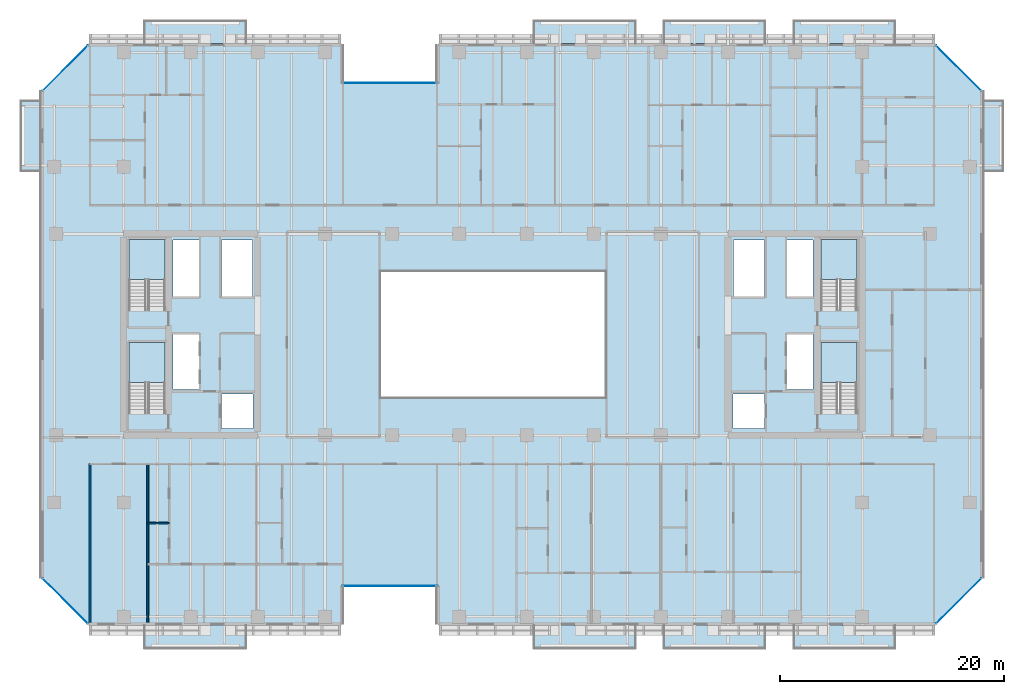
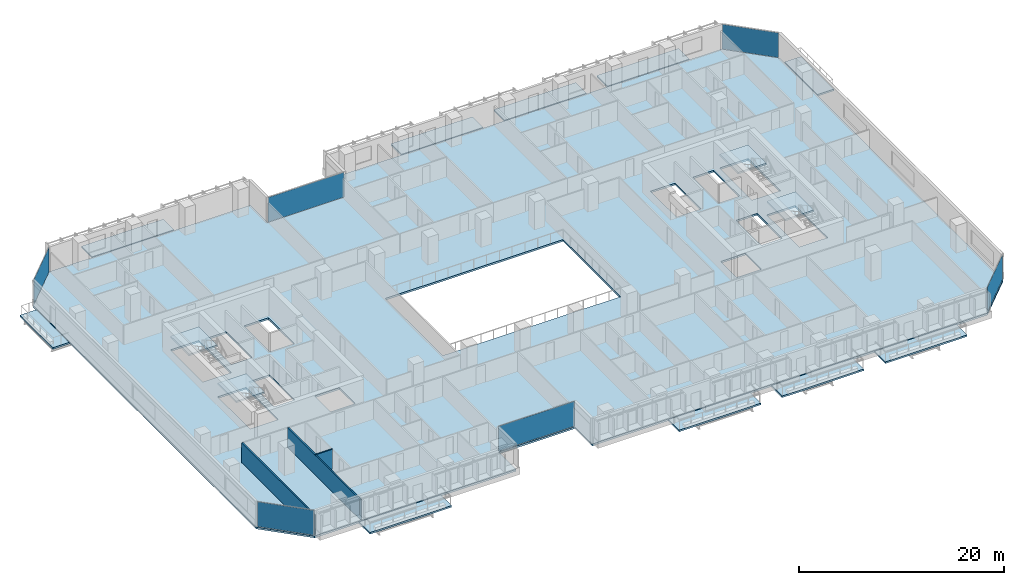
# One storey, part 17 of 33: 15 slabs, 6 plates, 3 walls, 10 elements without a shape of their own.
"""IFC4 building model written with IfcOpenShell, lengths in metres."""

from ifc_helpers import new_model, si_unit, direction, frame, frame_2d, origin, origin_2d, place, context, subcontext, project, spatial, polyline, rectangle, outline, extrude, material, layer, layer_set, type_object, element, aggregate, save


model = new_model("IFC4")

# Units and contexts
model_context = context("Model", 3, precision=1e-05, world=origin(), true_north=direction((0.0, 1.0)))
body_context = subcontext(model_context, "Body", "Model", "MODEL_VIEW")
ifc_project = project(units=[si_unit("LENGTHUNIT", "METRE"), si_unit("AREAUNIT", "SQUARE_METRE"), si_unit("VOLUMEUNIT", "CUBIC_METRE"), si_unit("PLANEANGLEUNIT", "RADIAN"), si_unit("MASSUNIT", "GRAM", prefix="KILO")], contexts=[model_context])

# Site, building, storey
site_placement = place(None, origin())
site = spatial("IfcSite", under=ifc_project, at=site_placement, CompositionType="ELEMENT")
building_placement = place(site_placement, origin())
building = spatial("IfcBuilding", under=site, at=building_placement, Name="Tanjung Sevakor Pilgrim Tower", CompositionType="ELEMENT")
storey_placement = place(building_placement, frame((0.0, 0.0, 52.139892578125)))
storey = spatial("IfcBuildingStorey", under=building, at=storey_placement, Name="L14", CompositionType="ELEMENT", Elevation=52.139892578125)

# Slabs
ifc_material_1 = material(Name="Concrete C40/50", Category="concrete")
ifc_layer_1 = layer(ifc_material_1, 0.199951171875)
ifc_layer_set_1 = layer_set([ifc_layer_1], Name="SL-BAL-200")
slab_type_1 = type_object("IfcSlabType", Name="SL-BAL-200", PredefinedType="FLOOR", material=ifc_layer_set_1)
slab_1_placement = place(storey_placement, frame((0.0, 0.0, -0.199951171875)))
element("IfcSlab", 1, at=slab_1_placement, inside=storey, type_object=slab_type_1, Name="L14 Planted Loggia Balcony MAIN-S1", PredefinedType="FLOOR", context=body_context, shape_type="SweptSolid", body=[
    extrude(outline(polyline([(25.800048828125, 5.5), (35.0, 5.5), (35.0, 7.60009765625), (25.800048828125, 7.60009765625), (25.800048828125, 5.5)])), origin(), (0.0, 0.0, 1.0), 0.199951171875),
])
slab_2_placement = place(storey_placement, frame((0.0, 0.0, -0.199951171875)))
element("IfcSlab", 2, at=slab_2_placement, inside=storey, type_object=slab_type_1, Name="L14 Planted Loggia Balcony MAIN-N1", PredefinedType="FLOOR", context=body_context, shape_type="SweptSolid", body=[
    extrude(outline(polyline([(25.800048828125, 59.60009765625), (35.0, 59.60009765625), (35.0, 61.699951171875), (25.800048828125, 61.699951171875), (25.800048828125, 59.60009765625)])), origin(), (0.0, 0.0, 1.0), 0.199951171875),
])
slab_3_placement = place(storey_placement, frame((0.0, 0.0, -0.199951171875)))
element("IfcSlab", 3, at=slab_3_placement, inside=storey, type_object=slab_type_1, Name="L14 Planted Loggia Balcony MAIN-S2", PredefinedType="FLOOR", context=body_context, shape_type="SweptSolid", body=[
    extrude(outline(polyline([(60.60009765625, 5.5), (69.800048828125, 5.5), (69.800048828125, 7.60009765625), (60.60009765625, 7.60009765625), (60.60009765625, 5.5)])), origin(), (0.0, 0.0, 1.0), 0.199951171875),
])
slab_4_placement = place(storey_placement, frame((0.0, 0.0, -0.199951171875)))
element("IfcSlab", 4, at=slab_4_placement, inside=storey, type_object=slab_type_1, Name="L14 Planted Loggia Balcony MAIN-N2", PredefinedType="FLOOR", context=body_context, shape_type="SweptSolid", body=[
    extrude(outline(polyline([(60.60009765625, 59.60009765625), (69.800048828125, 59.60009765625), (69.800048828125, 61.699951171875), (60.60009765625, 61.699951171875), (60.60009765625, 59.60009765625)])), origin(), (0.0, 0.0, 1.0), 0.199951171875),
])
slab_5_placement = place(storey_placement, frame((0.0, 0.0, -0.199951171875)))
element("IfcSlab", 5, at=slab_5_placement, inside=storey, type_object=slab_type_1, Name="L14 Planted Loggia Balcony MAIN-S3", PredefinedType="FLOOR", context=body_context, shape_type="SweptSolid", body=[
    extrude(outline(polyline([(72.199951171875, 5.5), (81.39990234375, 5.5), (81.39990234375, 7.60009765625), (72.199951171875, 7.60009765625), (72.199951171875, 5.5)])), origin(), (0.0, 0.0, 1.0), 0.199951171875),
])
slab_6_placement = place(storey_placement, frame((0.0, 0.0, -0.199951171875)))
element("IfcSlab", 6, at=slab_6_placement, inside=storey, type_object=slab_type_1, Name="L14 Planted Loggia Balcony MAIN-N3", PredefinedType="FLOOR", context=body_context, shape_type="SweptSolid", body=[
    extrude(outline(polyline([(72.199951171875, 59.60009765625), (81.39990234375, 59.60009765625), (81.39990234375, 61.699951171875), (72.199951171875, 61.699951171875), (72.199951171875, 59.60009765625)])), origin(), (0.0, 0.0, 1.0), 0.199951171875),
])
slab_7_placement = place(storey_placement, frame((0.0, 0.0, -0.199951171875)))
element("IfcSlab", 7, at=slab_7_placement, inside=storey, type_object=slab_type_1, Name="L14 Planted Loggia Balcony MAIN-S4", PredefinedType="FLOOR", context=body_context, shape_type="SweptSolid", body=[
    extrude(outline(polyline([(83.800048828125, 5.5), (93.0, 5.5), (93.0, 7.60009765625), (83.800048828125, 7.60009765625), (83.800048828125, 5.5)])), origin(), (0.0, 0.0, 1.0), 0.199951171875),
])
slab_8_placement = place(storey_placement, frame((0.0, 0.0, -0.199951171875)))
element("IfcSlab", 8, at=slab_8_placement, inside=storey, type_object=slab_type_1, Name="L14 Planted Loggia Balcony MAIN-N4", PredefinedType="FLOOR", context=body_context, shape_type="SweptSolid", body=[
    extrude(outline(polyline([(83.800048828125, 59.60009765625), (93.0, 59.60009765625), (93.0, 61.699951171875), (83.800048828125, 61.699951171875), (83.800048828125, 59.60009765625)])), origin(), (0.0, 0.0, 1.0), 0.199951171875),
])
slab_9_placement = place(storey_placement, frame((0.0, 0.0, -0.199951171875)))
element("IfcSlab", 9, at=slab_9_placement, inside=storey, type_object=slab_type_1, Name="L14 Planted Loggia Balcony MAIN-W1", PredefinedType="FLOOR", context=body_context, shape_type="SweptSolid", body=[
    extrude(outline(polyline([(14.75, 48.14990234375), (16.60009765625, 48.14990234375), (16.60009765625, 54.550048828125), (14.75, 54.550048828125), (14.75, 48.14990234375)])), origin(), (0.0, 0.0, 1.0), 0.199951171875),
])
slab_10_placement = place(storey_placement, frame((0.0, 0.0, -0.199951171875)))
element("IfcSlab", 10, at=slab_10_placement, inside=storey, type_object=slab_type_1, Name="L14 Planted Loggia Balcony MAIN-E1", PredefinedType="FLOOR", context=body_context, shape_type="SweptSolid", body=[
    extrude(outline(polyline([(100.800048828125, 48.14990234375), (102.64990234375, 48.14990234375), (102.64990234375, 54.550048828125), (100.800048828125, 54.550048828125), (100.800048828125, 48.14990234375)])), origin(), (0.0, 0.0, 1.0), 0.199951171875),
])

# Stair, slab
ifc_material_2 = material(Name="Concrete C40/50", Category="concrete")
stair_type = type_object("IfcStairType", Name="STAIR-ST-CR150", PredefinedType="HALF_TURN_STAIR", material=ifc_material_2)
stair_1_placement = place(storey_placement, origin())
stair_1 = element("IfcStair", 11, at=stair_1_placement, inside=storey, type_object=stair_type, Name="L14 West Core Exit Stair 1", PredefinedType="HALF_TURN_STAIR")
ifc_material_3 = material(Name="Concrete C40/50", Category="concrete")
ifc_layer_2 = layer(ifc_material_3, 0.199951171875)
ifc_layer_set_2 = layer_set([ifc_layer_2], Name="SL-LAND-200")
slab_type_2 = type_object("IfcSlabType", Name="SL-LAND-200", PredefinedType="LANDING", material=ifc_layer_set_2)
slab_11_placement = place(storey_placement, frame((0.0, 0.0, 1.4501953125)))
slab_11 = element("IfcSlab", 12, at=slab_11_placement, type_object=slab_type_2, Name="TS-W1 landing 1", PredefinedType="LANDING", context=body_context, shape_type="SweptSolid", body=[
    extrude(outline(polyline([(27.699951171875, 29.300048828125), (27.699951171875, 32.89990234375), (24.5, 32.89990234375), (24.5, 29.300048828125), (27.699951171875, 29.300048828125)])), origin(), (0.0, 0.0, 1.0), 0.199951171875),
])
aggregate(stair_1, [slab_11])

stair_2_placement = place(storey_placement, origin())
stair_2 = element("IfcStair", 13, at=stair_2_placement, inside=storey, type_object=stair_type, Name="L14 West Core Exit Stair 2", PredefinedType="HALF_TURN_STAIR")
slab_12_placement = place(storey_placement, frame((0.0, 0.0, 1.4501953125)))
slab_12 = element("IfcSlab", 14, at=slab_12_placement, type_object=slab_type_2, Name="TS-W2 landing 1", PredefinedType="LANDING", context=body_context, shape_type="SweptSolid", body=[
    extrude(outline(polyline([(27.699951171875, 38.5), (27.699951171875, 42.10009765625), (24.5, 42.10009765625), (24.5, 38.5), (27.699951171875, 38.5)])), origin(), (0.0, 0.0, 1.0), 0.199951171875),
])
aggregate(stair_2, [slab_12])

stair_3_placement = place(storey_placement, origin())
stair_3 = element("IfcStair", 15, at=stair_3_placement, inside=storey, type_object=stair_type, Name="L14 East Core Exit Stair 1", PredefinedType="HALF_TURN_STAIR")
slab_13_placement = place(storey_placement, frame((0.0, 0.0, 1.4501953125)))
slab_13 = element("IfcSlab", 16, at=slab_13_placement, type_object=slab_type_2, Name="TS-E1 landing 1", PredefinedType="LANDING", context=body_context, shape_type="SweptSolid", body=[
    extrude(outline(polyline([(89.5, 29.300048828125), (89.5, 32.89990234375), (86.300048828125, 32.89990234375), (86.300048828125, 29.300048828125), (89.5, 29.300048828125)])), origin(), (0.0, 0.0, 1.0), 0.199951171875),
])
aggregate(stair_3, [slab_13])

stair_4_placement = place(storey_placement, origin())
stair_4 = element("IfcStair", 17, at=stair_4_placement, inside=storey, type_object=stair_type, Name="L14 East Core Exit Stair 2", PredefinedType="HALF_TURN_STAIR")
slab_14_placement = place(storey_placement, frame((0.0, 0.0, 1.4501953125)))
slab_14 = element("IfcSlab", 18, at=slab_14_placement, type_object=slab_type_2, Name="TS-E2 landing 1", PredefinedType="LANDING", context=body_context, shape_type="SweptSolid", body=[
    extrude(outline(polyline([(89.5, 38.5), (89.5, 42.10009765625), (86.300048828125, 42.10009765625), (86.300048828125, 38.5), (89.5, 38.5)])), origin(), (0.0, 0.0, 1.0), 0.199951171875),
])
aggregate(stair_4, [slab_14])

# Slab
ifc_material_4 = material(Name="Concrete C40/50", Category="concrete")
ifc_layer_3 = layer(ifc_material_4, 0.219970703125)
ifc_layer_set_3 = layer_set([ifc_layer_3], Name="SL-TWR-220")
slab_type_3 = type_object("IfcSlabType", Name="SL-TWR-220", PredefinedType="FLOOR", material=ifc_layer_set_3)
slab_15_placement = place(storey_placement, frame((0.0, 0.0, -0.219970703125)))
element("IfcSlab", 19, at=slab_15_placement, inside=storey, type_object=slab_type_3, Name="L14 Floor Slab MAIN", PredefinedType="FLOOR", context=body_context, shape_type="SweptSolid", body=[
    extrude(outline(polyline([(20.846923828125, 7.679931640625), (43.52001953125, 7.679931640625), (43.52001953125, 11.080078125), (52.080078125, 11.080078125), (52.080078125, 7.679931640625), (96.552978515625, 7.679931640625), (100.719970703125, 11.846923828125), (100.719970703125, 55.35302734375), (96.552978515625, 59.52001953125), (52.080078125, 59.52001953125), (52.080078125, 56.1201171875), (43.52001953125, 56.1201171875), (43.52001953125, 59.52001953125), (20.846923828125, 59.52001953125), (16.679931640625, 55.35302734375), (16.679931640625, 11.846923828125), (20.846923828125, 7.679931640625)]), holes=[polyline([(27.699951171875, 26.60009765625), (27.699951171875, 32.89990234375), (24.5, 32.89990234375), (24.5, 26.60009765625), (27.699951171875, 26.60009765625)]), polyline([(27.699951171875, 35.800048828125), (27.699951171875, 42.10009765625), (24.5, 42.10009765625), (24.5, 35.800048828125), (27.699951171875, 35.800048828125)]), polyline([(89.5, 26.60009765625), (89.5, 32.89990234375), (86.300048828125, 32.89990234375), (86.300048828125, 26.60009765625), (89.5, 26.60009765625)]), polyline([(89.5, 35.800048828125), (89.5, 42.10009765625), (86.300048828125, 42.10009765625), (86.300048828125, 35.800048828125), (89.5, 35.800048828125)]), polyline([(32.75, 25.199951171875), (35.550048828125, 25.199951171875), (35.550048828125, 28.300048828125), (32.75, 28.300048828125), (32.75, 25.199951171875)]), polyline([(28.39990234375, 28.699951171875), (30.75, 28.699951171875), (30.75, 33.60009765625), (28.39990234375, 33.60009765625), (28.39990234375, 28.699951171875)]), polyline([(28.39990234375, 37.0), (30.75, 37.0), (30.75, 42.050048828125), (28.39990234375, 42.050048828125), (28.39990234375, 37.0)]), polyline([(32.75, 37.0), (35.5, 37.0), (35.5, 42.050048828125), (32.75, 42.050048828125), (32.75, 37.0)]), polyline([(78.449951171875, 25.199951171875), (81.25, 25.199951171875), (81.25, 28.300048828125), (78.449951171875, 28.300048828125), (78.449951171875, 25.199951171875)]), polyline([(83.25, 28.699951171875), (85.60009765625, 28.699951171875), (85.60009765625, 33.60009765625), (83.25, 33.60009765625), (83.25, 28.699951171875)]), polyline([(83.25, 37.0), (85.60009765625, 37.0), (85.60009765625, 42.050048828125), (83.25, 42.050048828125), (83.25, 37.0)]), polyline([(78.5, 37.0), (81.25, 37.0), (81.25, 42.050048828125), (78.5, 42.050048828125), (78.5, 37.0)]), polyline([(47.0, 28.0), (67.0, 28.0), (67.0, 39.199951171875), (47.0, 39.199951171875), (47.0, 28.0)])]), origin(), (0.0, 0.0, 1.0), 0.219970703125),
])

# Curtain wall, plate
ifc_material_5 = material(Name="Aluminium 6063-T6 and Low-E Glass", Category="aluminium")
ifc_layer_4 = layer(ifc_material_5, 0.179931640625)
ifc_layer_set_4 = layer_set([ifc_layer_4], Name="CW-SYS-CLEFT")
curtain_wall_type_1 = type_object("IfcCurtainWallType", Name="CW-SYS-CLEFT", PredefinedType="NOTDEFINED", material=ifc_layer_set_4)
curtain_wall_1_placement = place(storey_placement, origin())
curtain_wall_1 = element("IfcCurtainWall", 20, at=curtain_wall_1_placement, inside=storey, type_object=curtain_wall_type_1, Name="L14 Curtain Wall CW-CLF-L14-2", PredefinedType="NOTDEFINED")
ifc_material_6 = material(Name="Laminated Low-E Double Glazing", Category="glass")
ifc_layer_5 = layer(ifc_material_6, 0.028076171875)
ifc_layer_set_5 = layer_set([ifc_layer_5], Name="TYPE-CWP-GLZ1")
plate_type = type_object("IfcPlateType", Name="TYPE-CWP-GLZ1", PredefinedType="CURTAIN_PANEL", material=ifc_layer_set_5)
plate_1_placement = place(storey_placement, frame((47.800048828125, 11.139892578125, 0.06494140625), z_axis=(0.0, 0.0, 1.0), x_axis=(1.0, 0.0, 0.0)))
plate_1 = element("IfcPlate", 21, at=plate_1_placement, type_object=plate_type, Name="CW-CLF panel 1.1", PredefinedType="CURTAIN_PANEL", context=body_context, shape_type="SweptSolid", body=[
    extrude(rectangle(XDim=8.530029296875, YDim=0.028076171875, at=origin_2d()), origin(), (0.0, 0.0, 1.0), 2.949951171875),
])
aggregate(curtain_wall_1, [plate_1])

ifc_material_7 = material(Name="Aluminium 6063-T6 and Low-E Glass", Category="aluminium")
ifc_layer_6 = layer(ifc_material_7, 0.179931640625)
ifc_layer_set_6 = layer_set([ifc_layer_6], Name="CW-SYS-CHAM")
curtain_wall_type_2 = type_object("IfcCurtainWallType", Name="CW-SYS-CHAM", PredefinedType="NOTDEFINED", material=ifc_layer_set_6)
curtain_wall_2_placement = place(storey_placement, origin())
curtain_wall_2 = element("IfcCurtainWall", 22, at=curtain_wall_2_placement, inside=storey, type_object=curtain_wall_type_2, Name="L14 Curtain Wall CW-CHM-L14-MAIN-5", PredefinedType="NOTDEFINED")
plate_2_placement = place(storey_placement, frame((98.60107421875, 9.799072265625, 0.06494140625), z_axis=(0.0, 0.0, 1.0), x_axis=(0.707106781187, 0.707106781187, 0.0)))
plate_2 = element("IfcPlate", 23, at=plate_2_placement, type_object=plate_type, Name="CW-CHM panel 1.1", PredefinedType="CURTAIN_PANEL", context=body_context, shape_type="SweptSolid", body=[
    extrude(rectangle(XDim=5.69384765625, YDim=0.028076171875, at=origin_2d()), origin(), (0.0, 0.0, 1.0), 2.949951171875),
])
aggregate(curtain_wall_2, [plate_2])

curtain_wall_3_placement = place(storey_placement, origin())
curtain_wall_3 = element("IfcCurtainWall", 24, at=curtain_wall_3_placement, inside=storey, type_object=curtain_wall_type_2, Name="L14 Curtain Wall CW-CHM-L14-MAIN-7", PredefinedType="NOTDEFINED")
plate_3_placement = place(storey_placement, frame((98.60107421875, 57.40087890625, 0.06494140625), z_axis=(0.0, 0.0, 1.0), x_axis=(-0.707106781187, 0.707106781187, 0.0)))
plate_3 = element("IfcPlate", 25, at=plate_3_placement, type_object=plate_type, Name="CW-CHM panel 1.1", PredefinedType="CURTAIN_PANEL", context=body_context, shape_type="SweptSolid", body=[
    extrude(rectangle(XDim=5.69384765625, YDim=0.028076171875, at=origin_2d()), origin(), (0.0, 0.0, 1.0), 2.949951171875),
])
aggregate(curtain_wall_3, [plate_3])

curtain_wall_4_placement = place(storey_placement, origin())
curtain_wall_4 = element("IfcCurtainWall", 26, at=curtain_wall_4_placement, inside=storey, type_object=curtain_wall_type_1, Name="L14 Curtain Wall CW-CLF-L14-10", PredefinedType="NOTDEFINED")
plate_4_placement = place(storey_placement, frame((47.800048828125, 56.06005859375, 0.06494140625), z_axis=(0.0, 0.0, 1.0), x_axis=(-1.0, 0.0, 0.0)))
plate_4 = element("IfcPlate", 27, at=plate_4_placement, type_object=plate_type, Name="CW-CLF panel 1.1", PredefinedType="CURTAIN_PANEL", context=body_context, shape_type="SweptSolid", body=[
    extrude(rectangle(XDim=8.530029296875, YDim=0.028076171875, at=origin_2d()), origin(), (0.0, 0.0, 1.0), 2.949951171875),
])
aggregate(curtain_wall_4, [plate_4])

curtain_wall_5_placement = place(storey_placement, origin())
curtain_wall_5 = element("IfcCurtainWall", 28, at=curtain_wall_5_placement, inside=storey, type_object=curtain_wall_type_2, Name="L14 Curtain Wall CW-CHM-L14-MAIN-13", PredefinedType="NOTDEFINED")
plate_5_placement = place(storey_placement, frame((18.799072265625, 57.40087890625, 0.06494140625), z_axis=(0.0, 0.0, 1.0), x_axis=(-0.707106781187, -0.707106781187, 0.0)))
plate_5 = element("IfcPlate", 29, at=plate_5_placement, type_object=plate_type, Name="CW-CHM panel 1.1", PredefinedType="CURTAIN_PANEL", context=body_context, shape_type="SweptSolid", body=[
    extrude(rectangle(XDim=5.69384765625, YDim=0.028076171875, at=origin_2d()), origin(), (0.0, 0.0, 1.0), 2.949951171875),
])
aggregate(curtain_wall_5, [plate_5])

curtain_wall_6_placement = place(storey_placement, origin())
curtain_wall_6 = element("IfcCurtainWall", 30, at=curtain_wall_6_placement, inside=storey, type_object=curtain_wall_type_2, Name="L14 Curtain Wall CW-CHM-L14-MAIN-15", PredefinedType="NOTDEFINED")
plate_6_placement = place(storey_placement, frame((18.799072265625, 9.799072265625, 0.06494140625), z_axis=(0.0, 0.0, 1.0), x_axis=(0.707106781187, -0.707106781187, 0.0)))
plate_6 = element("IfcPlate", 31, at=plate_6_placement, type_object=plate_type, Name="CW-CHM panel 1.1", PredefinedType="CURTAIN_PANEL", context=body_context, shape_type="SweptSolid", body=[
    extrude(rectangle(XDim=5.69384765625, YDim=0.028076171875, at=origin_2d()), origin(), (0.0, 0.0, 1.0), 2.949951171875),
])
aggregate(curtain_wall_6, [plate_6])

# Walls
ifc_material_8 = material(Name="Concrete C40/50", Category="concrete")
ifc_layer_7 = layer(ifc_material_8, 0.14990234375)
ifc_layer_set_7 = layer_set([ifc_layer_7], Name="WT-COMP-150")
wall_type_1 = type_object("IfcWallType", Name="WT-COMP-150", PredefinedType="SOLIDWALL", material=ifc_layer_set_7)
for number, where, z_axis, x_axis, name in (
    (32, (21.0, 7.8798828125, 0.0), (0.0, 0.0, 1.0), (0.0, 1.0, 0.0), "L14 Partition IW-L14-042"),
    (33, (26.162109375, 7.8798828125, 0.0), (0.0, 0.0, 1.0), (0.0, 1.0, 0.0), "L14 Partition IW-L14-043"),
):
    element("IfcWall", number, at=place(storey_placement, frame(where, z_axis=z_axis, x_axis=x_axis)), inside=storey, type_object=wall_type_1, Name=name, PredefinedType="SOLIDWALL", context=body_context, shape_type="SweptSolid", body=[
        extrude(rectangle(XDim=14.170166015625, YDim=0.14990234375, at=frame_2d((7.0849609375, 0.0))), origin(), (0.0, 0.0, 1.0), 2.35009765625),
    ])
ifc_material_9 = material(Name="Gypsum Board Partition", Category="gypsum board")
ifc_layer_8 = layer(ifc_material_9, 0.14990234375)
ifc_layer_set_8 = layer_set([ifc_layer_8], Name="WT-PART-150")
wall_type_2 = type_object("IfcWallType", Name="WT-PART-150", PredefinedType="PARTITIONING", material=ifc_layer_set_8)
wall_placement = place(storey_placement, frame((26.162109375, 16.7578125, 0.0), z_axis=(0.0, 0.0, 1.0), x_axis=(1.0, 0.0, 0.0)))
element("IfcWall", 34, at=wall_placement, inside=storey, type_object=wall_type_2, Name="L14 Partition IW-L14-046", PredefinedType="PARTITIONING", context=body_context, shape_type="SweptSolid", body=[
    extrude(rectangle(XDim=1.91796875, YDim=0.14990234375, at=frame_2d((0.958984375, 0.0))), origin(), (0.0, 0.0, 1.0), 2.35009765625),
])

save(model, "model.ifc")
